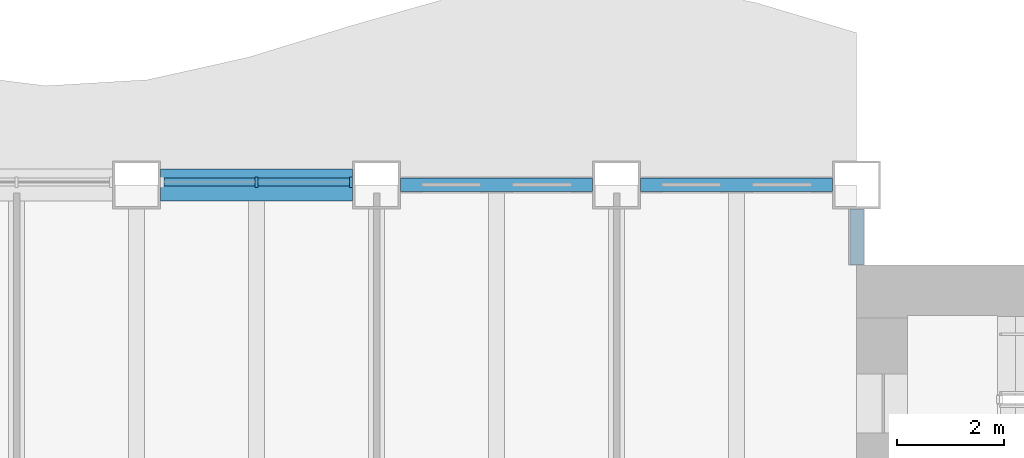
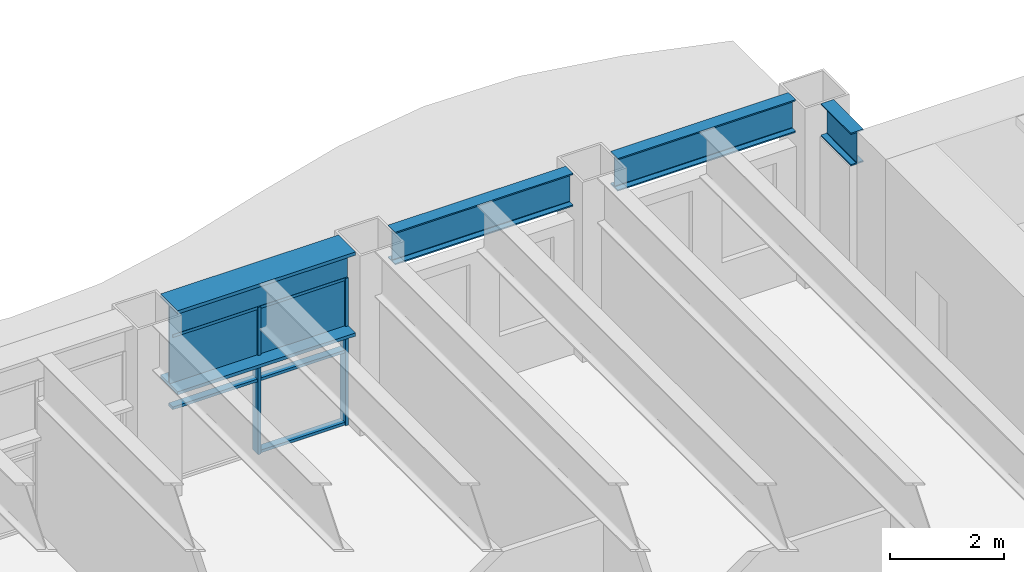
# One storey, part 3 of 17: 8 members, 3 beams, 1 element without a shape of its own.
"""IFC4 building model written with IfcOpenShell, lengths in metres."""

from ifc_helpers import new_model, si_unit, direction, frame, origin, origin_2d, place, context, subcontext, project, spatial, rectangle, i_section, extrude, material, material_profile, profile_set, type_object, element, aggregate, save


model = new_model("IFC4")

# Units and contexts
model_context = context("Model", 3, precision=1e-05, world=origin(), true_north=direction((0.0, 1.0)))
body_context = subcontext(model_context, "Body", "Model", "MODEL_VIEW")
ifc_project = project(units=[si_unit("LENGTHUNIT", "METRE"), si_unit("AREAUNIT", "SQUARE_METRE"), si_unit("VOLUMEUNIT", "CUBIC_METRE"), si_unit("PLANEANGLEUNIT", "RADIAN"), si_unit("MASSUNIT", "GRAM", prefix="KILO")], contexts=[model_context])

# Site, building, storey
site_placement = place(None, origin())
site = spatial("IfcSite", under=ifc_project, at=site_placement, CompositionType="ELEMENT")
building_placement = place(site_placement, origin())
building = spatial("IfcBuilding", under=site, at=building_placement, Name="Sennacour Bend Tower", CompositionType="ELEMENT")
storey_placement = place(building_placement, frame((0.0, 0.0, 155.0)))
storey = spatial("IfcBuildingStorey", under=building, at=storey_placement, Name="L35", CompositionType="ELEMENT", Elevation=155.0)

# Curtain wall, members
ifc_material_1 = material(Name="Bronze anodised aluminium curtain wall with clear glass", Category="aluminium")
curtain_wall_type = type_object("IfcCurtainWallType", Name="CURTAIN WALL BRIDGE", PredefinedType="NOTDEFINED", material=ifc_material_1)
curtain_wall_placement = place(storey_placement, origin())
curtain_wall = element("IfcCurtainWall", 1, at=curtain_wall_placement, inside=storey, type_object=curtain_wall_type, Name="Sky bridge glass wall L35", PredefinedType="NOTDEFINED")
ifc_material_2 = material(Name="Aluminium 6063-T6", Category="aluminium")
ifc_material_profile_1 = material_profile(ifc_material_2, rectangle(XDim=0.199951171875, YDim=0.06005859375, at=origin_2d()), Name="Aluminium 6063-T6", Category="aluminium")
ifc_profile_set_1 = profile_set([ifc_material_profile_1], Name="Aluminium 6063-T6")
member_type_1 = type_object("IfcMemberType", Name="CW-MULLION-200X60", PredefinedType="MULLION", material=ifc_profile_set_1)
member_1_placement = place(storey_placement, frame((44.52001953125, 24.050048828125, 0.0), z_axis=(0.0, 0.0, 1.0), x_axis=(0.0, -1.0, 0.0)))
member_1 = element("IfcMember", 2, at=member_1_placement, type_object=member_type_1, Name="GW5 curtain wall mullion 1", PredefinedType="MULLION", context=body_context, shape_type="SweptSolid", body=[
    extrude(rectangle(XDim=0.199951171875, YDim=0.06005859375, at=origin_2d()), origin(), (0.0, 0.0, 1.0), 3.14892578125),
])
member_2_placement = place(storey_placement, frame((42.75, 24.050048828125, 0.0), z_axis=(0.0, 0.0, 1.0), x_axis=(0.0, -1.0, 0.0)))
member_2 = element("IfcMember", 3, at=member_2_placement, type_object=member_type_1, Name="GW5 curtain wall mullion 2", PredefinedType="MULLION", context=body_context, shape_type="SweptSolid", body=[
    extrude(rectangle(XDim=0.199951171875, YDim=0.06005859375, at=origin_2d()), origin(), (0.0, 0.0, 1.0), 3.14892578125),
])
ifc_material_profile_2 = material_profile(ifc_material_2, rectangle(XDim=0.14990234375, YDim=0.06005859375, at=origin_2d()), Name="Aluminium 6063-T6", Category="aluminium")
ifc_profile_set_2 = profile_set([ifc_material_profile_2], Name="Aluminium 6063-T6")
member_type_2 = type_object("IfcMemberType", Name="CW-TRANSOM-150X60", PredefinedType="USERDEFINED", material=ifc_profile_set_2)
member_3_placement = place(storey_placement, frame((44.489990234375, 24.050048828125, 0.030029296875), z_axis=(-1.0, 0.0, 0.0), x_axis=(0.0, -1.0, 0.0)))
member_3 = element("IfcMember", 4, at=member_3_placement, type_object=member_type_2, Name="GW5 curtain wall transom 1.1", ObjectType="TRANSOM", PredefinedType="USERDEFINED", context=body_context, shape_type="SweptSolid", body=[
    extrude(rectangle(XDim=0.14990234375, YDim=0.06005859375, at=origin_2d()), origin(), (0.0, 0.0, 1.0), 1.7099609375),
])
member_4_placement = place(storey_placement, frame((44.489990234375, 24.050048828125, 1.574951171875), z_axis=(-1.0, 0.0, 0.0), x_axis=(0.0, -1.0, 0.0)))
member_4 = element("IfcMember", 5, at=member_4_placement, type_object=member_type_2, Name="GW5 curtain wall transom 1.2", ObjectType="TRANSOM", PredefinedType="USERDEFINED", context=body_context, shape_type="SweptSolid", body=[
    extrude(rectangle(XDim=0.14990234375, YDim=0.06005859375, at=origin_2d()), origin(), (0.0, 0.0, 1.0), 1.7099609375),
])
member_5_placement = place(storey_placement, frame((44.489990234375, 24.050048828125, 3.118896484375), z_axis=(-1.0, 0.0, 0.0), x_axis=(0.0, -1.0, 0.0)))
member_5 = element("IfcMember", 6, at=member_5_placement, type_object=member_type_2, Name="GW5 curtain wall transom 1.3", ObjectType="TRANSOM", PredefinedType="USERDEFINED", context=body_context, shape_type="SweptSolid", body=[
    extrude(rectangle(XDim=0.14990234375, YDim=0.06005859375, at=origin_2d()), origin(), (0.0, 0.0, 1.0), 1.7099609375),
])
member_6_placement = place(storey_placement, frame((42.719970703125, 24.050048828125, 1.574951171875), z_axis=(-1.0, 0.0, 0.0), x_axis=(0.0, -1.0, 0.0)))
member_6 = element("IfcMember", 7, at=member_6_placement, type_object=member_type_2, Name="GW5 curtain wall transom 2.2", ObjectType="TRANSOM", PredefinedType="USERDEFINED", context=body_context, shape_type="SweptSolid", body=[
    extrude(rectangle(XDim=0.14990234375, YDim=0.06005859375, at=origin_2d()), origin(), (0.0, 0.0, 1.0), 1.7099609375),
])
member_7_placement = place(storey_placement, frame((42.719970703125, 24.050048828125, 3.118896484375), z_axis=(-1.0, 0.0, 0.0), x_axis=(0.0, -1.0, 0.0)))
member_7 = element("IfcMember", 8, at=member_7_placement, type_object=member_type_2, Name="GW5 curtain wall transom 2.3", ObjectType="TRANSOM", PredefinedType="USERDEFINED", context=body_context, shape_type="SweptSolid", body=[
    extrude(rectangle(XDim=0.14990234375, YDim=0.06005859375, at=origin_2d()), origin(), (0.0, 0.0, 1.0), 1.7099609375),
])
aggregate(curtain_wall, [member_1, member_2, member_3, member_4, member_5, member_6, member_7])

# Member
ifc_material_3 = material(Name="Steel ASTM A572 Grade 50", Category="steel")
ifc_material_profile_3 = material_profile(ifc_material_3, i_section(OverallWidth=0.60009765625, OverallDepth=1.800048828125, WebThickness=0.0400390625, FlangeThickness=0.070068359375, at=origin_2d()), Name="Steel ASTM A572 Grade 50", Category="steel")
ifc_profile_set_3 = profile_set([ifc_material_profile_3], Name="Steel ASTM A572 Grade 50")
member_type_3 = type_object("IfcMemberType", Name="Sky bridge chord 1800", PredefinedType="CHORD", material=ifc_profile_set_3)
member_8_placement = place(storey_placement, frame((40.949951171875, 24.0, 2.949951171875), z_axis=(1.0, 0.0, 0.0), x_axis=(0.0, 1.0, 0.0)))
element("IfcMember", 9, at=member_8_placement, inside=storey, type_object=member_type_3, Name="Sky bridge chord VC L36-006", PredefinedType="CHORD", context=body_context, shape_type="SweptSolid", body=[
    extrude(i_section(OverallWidth=0.60009765625, OverallDepth=1.800048828125, WebThickness=0.0400390625, FlangeThickness=0.070068359375, at=origin_2d()), origin(), (0.0, 0.0, 1.0), 3.60009765625),
])

# Beams
ifc_material_4 = material(Name="Steel ASTM A992 Grade 50", Category="steel")
ifc_material_profile_4 = material_profile(ifc_material_4, i_section(OverallWidth=0.25390625, OverallDepth=0.700927734375, WebThickness=0.015380859375, FlangeThickness=0.02783203125, FilletRadius=0.015380859375, at=origin_2d()), Name="Steel ASTM A992 Grade 50", Category="steel")
ifc_profile_set_4 = profile_set([ifc_material_profile_4], Name="Steel ASTM A992 Grade 50")
beam_type = type_object("IfcBeamType", Name="Spandrel beam W690X192", PredefinedType="SPANDREL", material=ifc_profile_set_4)
for number, where, z_axis, x_axis, name in (
    (10, (45.449951171875, 24.0, 3.49951171875), (1.0, 0.0, 0.0), (0.0, 1.0, 0.0), "Spandrel beam SP4 L36-015"),
    (11, (49.949951171875, 24.0, 3.49951171875), (1.0, 0.0, 0.0), (0.0, 1.0, 0.0), "Spandrel beam SP4 L36-016"),
):
    element("IfcBeam", number, at=place(storey_placement, frame(where, z_axis=z_axis, x_axis=x_axis)), inside=storey, type_object=beam_type, Name=name, PredefinedType="SPANDREL", context=body_context, shape_type="SweptSolid", body=[
        extrude(i_section(OverallWidth=0.25390625, OverallDepth=0.700927734375, WebThickness=0.015380859375, FlangeThickness=0.02783203125, FilletRadius=0.015380859375, at=origin_2d()), origin(), (0.0, 0.0, 1.0), 3.60009765625),
    ])
beam_placement = place(storey_placement, frame((54.0, 23.550048828125, 3.49951171875), z_axis=(0.0, -1.0, 0.0), x_axis=(1.0, 0.0, 0.0)))
element("IfcBeam", 12, at=beam_placement, inside=storey, type_object=beam_type, Name="Spandrel beam SP4 L36-017", PredefinedType="SPANDREL", context=body_context, shape_type="SweptSolid", body=[
    extrude(i_section(OverallWidth=0.25390625, OverallDepth=0.700927734375, WebThickness=0.015380859375, FlangeThickness=0.02783203125, FilletRadius=0.015380859375, at=origin_2d()), origin(), (0.0, 0.0, 1.0), 1.050048828125),
])

save(model, "model.ifc")
